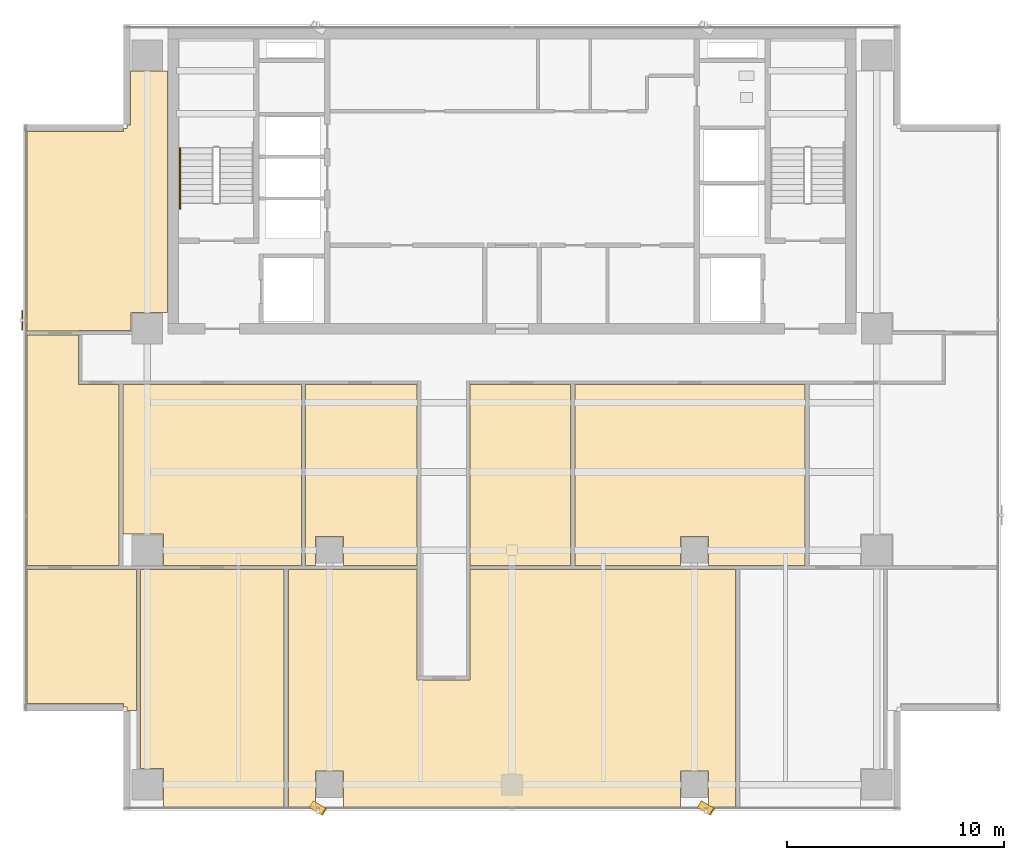
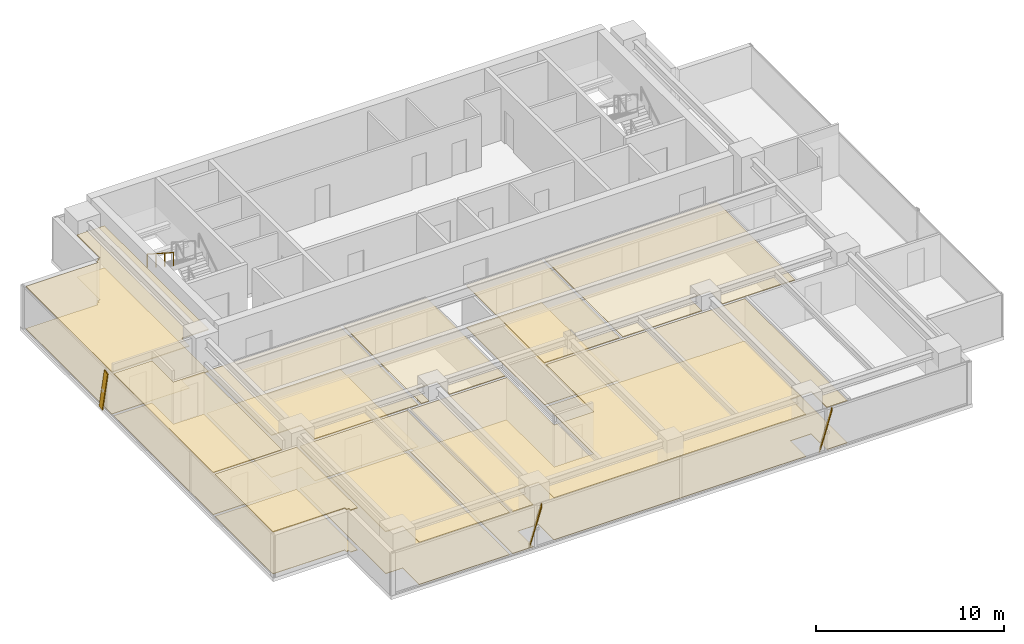
# One storey, part 22 of 26: 16 coverings, 3 shading devices, 1 railing.
"""IFC4 building model written with IfcOpenShell, lengths in metres."""

from ifc_helpers import new_model, si_unit, direction, frame, origin, origin_2d, place, context, subcontext, project, spatial, polyline, rectangle, outline, extrude, source, transform, mapped, material, layer, layer_set, material_profile, profile_set, type_object, element, save


model = new_model("IFC4")

# Units and contexts
model_context = context("Model", 3, precision=1e-05, world=origin(), true_north=direction((0.0, 1.0)))
body_context = subcontext(model_context, "Body", "Model", "MODEL_VIEW")
ifc_project = project(units=[si_unit("LENGTHUNIT", "METRE"), si_unit("AREAUNIT", "SQUARE_METRE"), si_unit("VOLUMEUNIT", "CUBIC_METRE"), si_unit("PLANEANGLEUNIT", "RADIAN"), si_unit("MASSUNIT", "GRAM", prefix="KILO")], contexts=[model_context])

# Site, building, storey
site_placement = place(None, origin())
site = spatial("IfcSite", under=ifc_project, at=site_placement, CompositionType="ELEMENT")
building_placement = place(site_placement, origin())
building = spatial("IfcBuilding", under=site, at=building_placement, Name="Sumidabori Civic Tower", CompositionType="ELEMENT")
storey_placement = place(building_placement, frame((0.0, 0.0, 250.39990234375)))
storey = spatial("IfcBuildingStorey", under=building, at=storey_placement, Name="L65", CompositionType="ELEMENT", Elevation=250.39990234375)

# Coverings
ifc_material_1 = material(Name="Anodised Bronze Baffle Ceiling")
ifc_layer_1 = layer(ifc_material_1, 0.054931640625, Name="Anodised Bronze Baffle Ceiling")
ifc_layer_set_1 = layer_set([ifc_layer_1], Name="Anodised Bronze Baffle Ceiling")
covering_type_1 = type_object("IfcCoveringType", Name="CV-CEIL-AC3", PredefinedType="CEILING", material=ifc_layer_set_1)
covering_1_placement = place(storey_placement, frame((0.0, 0.0, 2.72021484375)))
element("IfcCovering", 1, at=covering_1_placement, inside=storey, type_object=covering_type_1, Name="Room Acoustic Ceiling L65-01", PredefinedType="CEILING", context=body_context, shape_type="SweptSolid", body=[
    extrude(outline(polyline([(-22.330078125, 10.094970703125), (-22.330078125, 19.27197265625), (-17.89208984375, 19.27197265625), (-17.89208984375, 19.429931640625), (-17.72998046875, 19.429931640625), (-17.72998046875, 19.592041015625), (-17.572021484375, 19.592041015625), (-17.572021484375, 22.06005859375), (-15.8779296875, 22.06005859375), (-15.8779296875, 10.93994140625), (-17.5400390625, 10.93994140625), (-17.5400390625, 10.1201171875), (-19.969970703125, 10.1201171875), (-19.969970703125, 10.094970703125), (-22.330078125, 10.094970703125)])), origin(), (0.0, 0.0, 1.0), 0.054931640625),
])
covering_2_placement = place(storey_placement, frame((0.0, 0.0, 2.72021484375)))
element("IfcCovering", 2, at=covering_2_placement, inside=storey, type_object=covering_type_1, Name="Room Acoustic Ceiling L65-03", PredefinedType="CEILING", context=body_context, shape_type="SweptSolid", body=[
    extrude(outline(polyline([(-19.969970703125, 7.6298828125), (-18.094970703125, 7.6298828125), (-18.094970703125, -0.705078125), (-22.330078125, -0.705078125), (-22.330078125, 9.905029296875), (-19.969970703125, 9.905029296875), (-19.969970703125, 7.6298828125)])), origin(), (0.0, 0.0, 1.0), 0.054931640625),
])
covering_3_placement = place(storey_placement, frame((0.0, 0.0, 2.72021484375)))
element("IfcCovering", 3, at=covering_3_placement, inside=storey, type_object=covering_type_1, Name="Room Acoustic Ceiling L65-05", PredefinedType="CEILING", context=body_context, shape_type="SweptSolid", body=[
    extrude(outline(polyline([(-17.905029296875, 7.6298828125), (-9.695068359375, 7.6298828125), (-9.695068359375, -0.705078125), (-16.06005859375, -0.705078125), (-16.06005859375, 0.739990234375), (-17.905029296875, 0.739990234375), (-17.905029296875, 7.6298828125)])), origin(), (0.0, 0.0, 1.0), 0.054931640625),
])
covering_4_placement = place(storey_placement, frame((0.0, 0.0, 2.72021484375)))
element("IfcCovering", 4, at=covering_4_placement, inside=storey, type_object=covering_type_1, Name="Room Acoustic Ceiling L65-06", PredefinedType="CEILING", context=body_context, shape_type="SweptSolid", body=[
    extrude(outline(polyline([(-9.5048828125, 7.6298828125), (-4.3701171875, 7.6298828125), (-4.3701171875, -0.705078125), (-7.760009765625, -0.705078125), (-7.760009765625, 0.639892578125), (-9.0400390625, 0.639892578125), (-9.0400390625, -0.705078125), (-9.5048828125, -0.705078125), (-9.5048828125, 7.6298828125)])), origin(), (0.0, 0.0, 1.0), 0.054931640625),
])
covering_5_placement = place(storey_placement, frame((0.0, 0.0, 2.72021484375)))
element("IfcCovering", 5, at=covering_5_placement, inside=storey, type_object=covering_type_1, Name="Room Acoustic Ceiling L65-07", PredefinedType="CEILING", context=body_context, shape_type="SweptSolid", body=[
    extrude(outline(polyline([(-1.929931640625, 7.6298828125), (2.705078125, 7.6298828125), (2.705078125, -0.705078125), (-1.929931640625, -0.705078125), (-1.929931640625, 7.6298828125)])), origin(), (0.0, 0.0, 1.0), 0.054931640625),
])
covering_6_placement = place(storey_placement, frame((0.0, 0.0, 2.72021484375)))
element("IfcCovering", 6, at=covering_6_placement, inside=storey, type_object=covering_type_1, Name="Room Acoustic Ceiling L65-08", PredefinedType="CEILING", context=body_context, shape_type="SweptSolid", body=[
    extrude(outline(polyline([(2.89501953125, 7.6298828125), (13.5048828125, 7.6298828125), (13.5048828125, -0.705078125), (9.0400390625, -0.705078125), (9.0400390625, 0.639892578125), (7.760009765625, 0.639892578125), (7.760009765625, -0.705078125), (2.89501953125, -0.705078125), (2.89501953125, 7.6298828125)])), origin(), (0.0, 0.0, 1.0), 0.054931640625),
])
covering_7_placement = place(storey_placement, frame((0.0, 0.0, 2.72021484375)))
element("IfcCovering", 7, at=covering_7_placement, inside=storey, type_object=covering_type_1, Name="Room Acoustic Ceiling L65-09", PredefinedType="CEILING", context=body_context, shape_type="SweptSolid", body=[
    extrude(outline(polyline([(-22.330078125, -7.072021484375), (-22.330078125, -0.89501953125), (-17.294921875, -0.89501953125), (-17.294921875, -7.39208984375), (-17.72998046875, -7.39208984375), (-17.72998046875, -7.22998046875), (-17.89208984375, -7.22998046875), (-17.89208984375, -7.072021484375), (-22.330078125, -7.072021484375)])), origin(), (0.0, 0.0, 1.0), 0.054931640625),
])
covering_8_placement = place(storey_placement, frame((0.0, 0.0, 2.72021484375)))
element("IfcCovering", 8, at=covering_8_placement, inside=storey, type_object=covering_type_1, Name="Room Acoustic Ceiling L65-11", PredefinedType="CEILING", context=body_context, shape_type="SweptSolid", body=[
    extrude(outline(polyline([(-16.06005859375, -10.06005859375), (-17.10498046875, -10.06005859375), (-17.10498046875, -0.89501953125), (-10.4951171875, -0.89501953125), (-10.4951171875, -11.830078125), (-16.06005859375, -11.830078125), (-16.06005859375, -10.06005859375)])), origin(), (0.0, 0.0, 1.0), 0.054931640625),
])
covering_9_placement = place(storey_placement, frame((0.0, 0.0, 2.72021484375)))
element("IfcCovering", 9, at=covering_9_placement, inside=storey, type_object=covering_type_1, Name="Room Acoustic Ceiling L65-13", PredefinedType="CEILING", context=body_context, shape_type="SweptSolid", body=[
    extrude(outline(polyline([(-4.3701171875, -5.969970703125), (-1.929931640625, -5.969970703125), (-1.929931640625, -0.89501953125), (10.304931640625, -0.89501953125), (10.304931640625, -11.830078125), (9.0400390625, -11.830078125), (9.0400390625, -10.159912109375), (7.760009765625, -10.159912109375), (7.760009765625, -11.830078125), (-7.760009765625, -11.830078125), (-7.760009765625, -10.159912109375), (-9.0400390625, -10.159912109375), (-9.0400390625, -11.830078125), (-10.304931640625, -11.830078125), (-10.304931640625, -0.89501953125), (-4.3701171875, -0.89501953125), (-4.3701171875, -5.969970703125)])), origin(), (0.0, 0.0, 1.0), 0.054931640625),
])
ifc_material_2 = material(Name="Honed Terrazzo Tile Flooring")
ifc_layer_2 = layer(ifc_material_2, 0.030029296875, Name="Honed Terrazzo Tile Flooring")
ifc_layer_set_2 = layer_set([ifc_layer_2], Name="Honed Terrazzo Tile Flooring")
covering_type_2 = type_object("IfcCoveringType", Name="CV-FLR-TER", PredefinedType="FLOORING", material=ifc_layer_set_2)
covering_10_placement = place(storey_placement, origin())
element("IfcCovering", 10, at=covering_10_placement, inside=storey, type_object=covering_type_2, Name="Room Terrazzo Floor L65-01", PredefinedType="FLOORING", context=body_context, shape_type="SweptSolid", body=[
    extrude(outline(polyline([(-22.330078125, 10.094970703125), (-22.330078125, 19.27197265625), (-17.89208984375, 19.27197265625), (-17.89208984375, 19.429931640625), (-17.72998046875, 19.429931640625), (-17.72998046875, 19.592041015625), (-17.572021484375, 19.592041015625), (-17.572021484375, 22.06005859375), (-15.8779296875, 22.06005859375), (-15.8779296875, 10.93994140625), (-17.5400390625, 10.93994140625), (-17.5400390625, 10.1201171875), (-19.969970703125, 10.1201171875), (-19.969970703125, 10.094970703125), (-22.330078125, 10.094970703125)])), origin(), (0.0, 0.0, 1.0), 0.030029296875),
])
covering_11_placement = place(storey_placement, origin())
element("IfcCovering", 11, at=covering_11_placement, inside=storey, type_object=covering_type_2, Name="Room Terrazzo Floor L65-03", PredefinedType="FLOORING", context=body_context, shape_type="SweptSolid", body=[
    extrude(outline(polyline([(-19.969970703125, 7.6298828125), (-18.094970703125, 7.6298828125), (-18.094970703125, -0.705078125), (-22.330078125, -0.705078125), (-22.330078125, 9.905029296875), (-19.969970703125, 9.905029296875), (-19.969970703125, 7.6298828125)])), origin(), (0.0, 0.0, 1.0), 0.030029296875),
])
covering_12_placement = place(storey_placement, origin())
element("IfcCovering", 12, at=covering_12_placement, inside=storey, type_object=covering_type_2, Name="Room Terrazzo Floor L65-05", PredefinedType="FLOORING", context=body_context, shape_type="SweptSolid", body=[
    extrude(outline(polyline([(-17.905029296875, 7.6298828125), (-9.695068359375, 7.6298828125), (-9.695068359375, -0.705078125), (-16.06005859375, -0.705078125), (-16.06005859375, 0.739990234375), (-17.905029296875, 0.739990234375), (-17.905029296875, 7.6298828125)])), origin(), (0.0, 0.0, 1.0), 0.030029296875),
])
covering_13_placement = place(storey_placement, origin())
element("IfcCovering", 13, at=covering_13_placement, inside=storey, type_object=covering_type_2, Name="Room Terrazzo Floor L65-07", PredefinedType="FLOORING", context=body_context, shape_type="SweptSolid", body=[
    extrude(outline(polyline([(-1.929931640625, 7.6298828125), (2.705078125, 7.6298828125), (2.705078125, -0.705078125), (-1.929931640625, -0.705078125), (-1.929931640625, 7.6298828125)])), origin(), (0.0, 0.0, 1.0), 0.030029296875),
])
covering_14_placement = place(storey_placement, origin())
element("IfcCovering", 14, at=covering_14_placement, inside=storey, type_object=covering_type_2, Name="Room Terrazzo Floor L65-09", PredefinedType="FLOORING", context=body_context, shape_type="SweptSolid", body=[
    extrude(outline(polyline([(-22.330078125, -7.072021484375), (-22.330078125, -0.89501953125), (-17.294921875, -0.89501953125), (-17.294921875, -7.39208984375), (-17.72998046875, -7.39208984375), (-17.72998046875, -7.22998046875), (-17.89208984375, -7.22998046875), (-17.89208984375, -7.072021484375), (-22.330078125, -7.072021484375)])), origin(), (0.0, 0.0, 1.0), 0.030029296875),
])
covering_15_placement = place(storey_placement, origin())
element("IfcCovering", 15, at=covering_15_placement, inside=storey, type_object=covering_type_2, Name="Room Terrazzo Floor L65-11", PredefinedType="FLOORING", context=body_context, shape_type="SweptSolid", body=[
    extrude(outline(polyline([(-16.06005859375, -10.06005859375), (-17.10498046875, -10.06005859375), (-17.10498046875, -0.89501953125), (-10.4951171875, -0.89501953125), (-10.4951171875, -11.830078125), (-16.06005859375, -11.830078125), (-16.06005859375, -10.06005859375)])), origin(), (0.0, 0.0, 1.0), 0.030029296875),
])
covering_16_placement = place(storey_placement, origin())
element("IfcCovering", 16, at=covering_16_placement, inside=storey, type_object=covering_type_2, Name="Room Terrazzo Floor L65-13", PredefinedType="FLOORING", context=body_context, shape_type="SweptSolid", body=[
    extrude(outline(polyline([(-4.3701171875, -5.969970703125), (-1.929931640625, -5.969970703125), (-1.929931640625, -0.89501953125), (10.304931640625, -0.89501953125), (10.304931640625, -11.830078125), (9.0400390625, -11.830078125), (9.0400390625, -10.159912109375), (7.760009765625, -10.159912109375), (7.760009765625, -11.830078125), (-7.760009765625, -11.830078125), (-7.760009765625, -10.159912109375), (-9.0400390625, -10.159912109375), (-9.0400390625, -11.830078125), (-10.304931640625, -11.830078125), (-10.304931640625, -0.89501953125), (-4.3701171875, -0.89501953125), (-4.3701171875, -5.969970703125)])), origin(), (0.0, 0.0, 1.0), 0.030029296875),
])

# Railing
ifc_material_3 = material(Name="Stainless Steel Hairline Finish", Category="steel")
railing_type = type_object("IfcRailingType", Name="RL-HANDRAIL", PredefinedType="HANDRAIL", material=ifc_material_3)
railing_placement = place(storey_placement, frame((-15.2900390625, 18.52001953125, 1.97998046875)))
element("IfcRailing", 17, at=railing_placement, inside=storey, type_object=railing_type, Name="L65 ST-1 stair handrail 2", PredefinedType="HANDRAIL", context=body_context, shape_type="SweptSolid", body=[
    extrude(rectangle(XDim=0.048095703125, YDim=0.048095703125, at=origin_2d()), frame((0.0, 0.0, 0.8759765625), z_axis=(0.0, -0.84064222762, 0.54159084662), x_axis=(1.0, 0.0, 0.0)), (0.0, 0.0, 1.0), 3.330810546875),
    extrude(rectangle(XDim=0.0419921875, YDim=0.0419921875, at=origin_2d()), origin(), (0.0, 0.0, 1.0), 0.851806640625),
    extrude(rectangle(XDim=0.0419921875, YDim=0.0419921875, at=origin_2d()), frame((0.0, -0.933349609375, 0.601318359375)), (0.0, 0.0, 1.0), 0.851806640625),
    extrude(rectangle(XDim=0.0419921875, YDim=0.0419921875, at=origin_2d()), frame((0.0, -1.86669921875, 1.20263671875)), (0.0, 0.0, 1.0), 0.851806640625),
    extrude(rectangle(XDim=0.0419921875, YDim=0.0419921875, at=origin_2d()), frame((0.0, -2.800048828125, 1.803955078125)), (0.0, 0.0, 1.0), 0.851806640625),
])

# Shading devices
ifc_material_4 = material(Name="Anodised Bronze Aluminium AW-6063-T6", Category="aluminium")
ifc_material_profile = material_profile(ifc_material_4, rectangle(XDim=0.054931640625, YDim=0.360107421875, at=origin_2d()), Name="BRONZE FIN 360x55")
ifc_profile_set = profile_set([ifc_material_profile], Name="Anodised Bronze Aluminium AW-6063-T6")
shading_device_type = type_object("IfcShadingDeviceType", Name="SH-FIN-360", PredefinedType="USERDEFINED", material=ifc_profile_set)
shared_shape_1 = source(origin(), body_context, "Body", "SweptSolid", [
    extrude(rectangle(XDim=0.054931640625, YDim=0.360107421875, at=origin_2d()), origin(), (0.0, 0.0, 1.0), 2.768798828125),
])
for number, where, z_axis, x_axis, name in (
    (18, (-9.215087890625, -11.7099609375, 0.02001953125), (0.202272600211, -0.122827258978, 0.971596243126), (0.830473922694, -0.504293885925, -0.236644755582), "Bronze Anodised Diagonal Fin L65-01"),
    (19, (8.655029296875, -11.7099609375, 0.02001953125), (0.202272600211, -0.122827258978, 0.971596243126), (0.830473922694, -0.504293885925, -0.236644755582), "Bronze Anodised Diagonal Fin L65-03"),
):
    element("IfcShadingDevice", number, at=place(storey_placement, frame(where, z_axis=z_axis, x_axis=x_axis)), inside=storey, type_object=shading_device_type, Name=name, ObjectType="FIN", PredefinedType="USERDEFINED", context=body_context, shape_type="MappedRepresentation", body=[
        mapped(shared_shape_1, transform((0.0, 0.0, 0.0), x_axis=(1.0, 0.0, 0.0), y_axis=(0.0, 1.0, 0.0), z_axis=(0.0, 0.0, 1.0), scale=1.0)),
    ])
shared_shape_2 = source(origin(), body_context, "Body", "SweptSolid", [
    extrude(rectangle(XDim=0.054931640625, YDim=0.360107421875, at=origin_2d()), origin(), (0.0, 0.0, 1.0), 2.747802734375),
])
shading_device_placement = place(storey_placement, frame((-22.550048828125, 10.8701171875, 0.02001953125), z_axis=(0.0, -0.203815880787, 0.97900923731), x_axis=(-1.0, 0.0, 0.0)))
element("IfcShadingDevice", 20, at=shading_device_placement, inside=storey, type_object=shading_device_type, Name="Bronze Anodised Diagonal Fin L65-01", ObjectType="FIN", PredefinedType="USERDEFINED", context=body_context, shape_type="MappedRepresentation", body=[
    mapped(shared_shape_2, transform((0.0, 0.0, 0.0), x_axis=(1.0, 0.0, 0.0), y_axis=(0.0, 1.0, 0.0), z_axis=(0.0, 0.0, 1.0), scale=1.0)),
])

save(model, "model.ifc")
